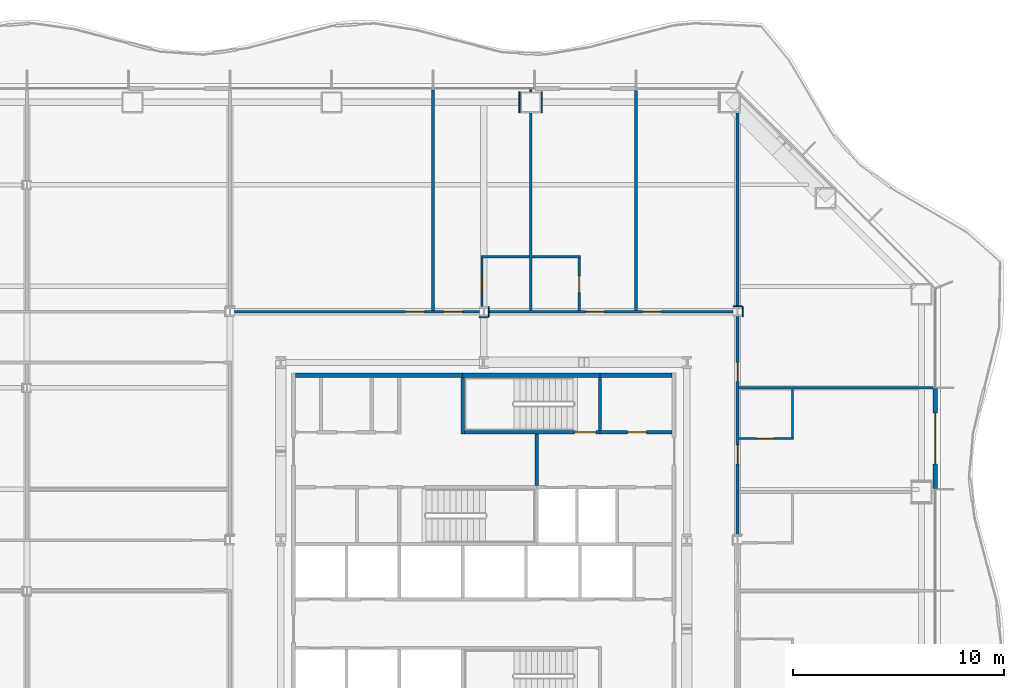
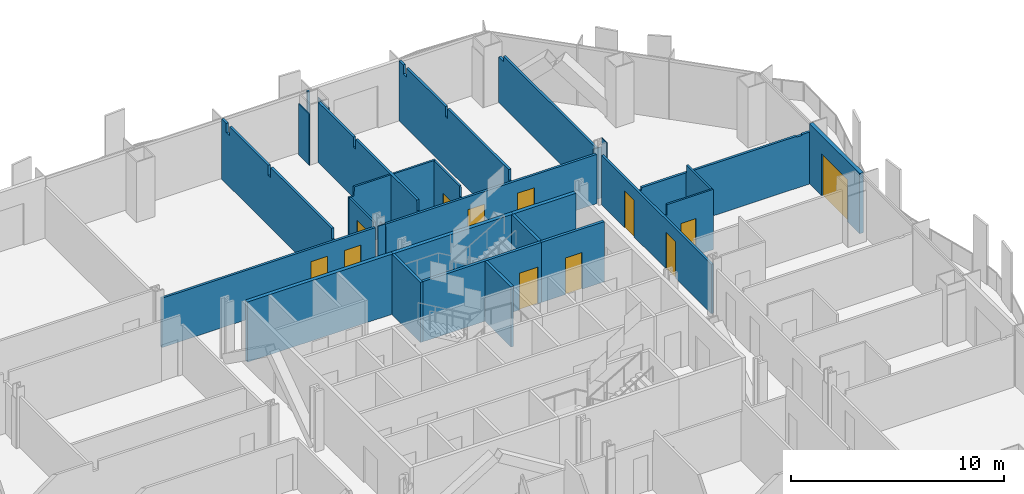
# One storey, part 13 of 20: 30 walls, 12 doors, 12 openings.
"""IFC4 building model written with IfcOpenShell, lengths in metres."""

from ifc_helpers import new_model, si_unit, direction, frame, frame_2d, origin, place, context, subcontext, project, spatial, polyline, rectangle, outline, extrude, material, layer, layer_set, type_object, element, fill, save


model = new_model("IFC4")

# Units and contexts
model_context = context("Model", 3, precision=1e-05, world=origin(), true_north=direction((0.0, 1.0)))
body_context = subcontext(model_context, "Body", "Model", "MODEL_VIEW")
ifc_project = project(units=[si_unit("LENGTHUNIT", "METRE"), si_unit("AREAUNIT", "SQUARE_METRE"), si_unit("VOLUMEUNIT", "CUBIC_METRE"), si_unit("PLANEANGLEUNIT", "RADIAN"), si_unit("MASSUNIT", "GRAM", prefix="KILO")], contexts=[model_context])

# Site, building, storey
site_placement = place(None, origin())
site = spatial("IfcSite", under=ifc_project, at=site_placement, CompositionType="ELEMENT")
building_placement = place(site_placement, origin())
building = spatial("IfcBuilding", under=site, at=building_placement, Name="Cairn Pilgrim Tower", CompositionType="ELEMENT")
storey_placement = place(building_placement, frame((0.0, 0.0, 51.0)))
storey = spatial("IfcBuildingStorey", under=building, at=storey_placement, Name="L10", CompositionType="ELEMENT", Elevation=51.0)

# Wall, opening, door
ifc_material_1 = material(Name="Bronze anodised aluminium insulated sandwich panel with mineral wool fill", Category="aluminium")
ifc_layer_1 = layer(ifc_material_1, 0.199951171875)
ifc_layer_set_1 = layer_set([ifc_layer_1], Name="BRONZE INFILL FRAME WALL 200")
wall_type_1 = type_object("IfcWallType", Name="BRONZE INFILL FRAME WALL 200", PredefinedType="NOTDEFINED", material=ifc_layer_set_1)
wall_1_placement = place(storey_placement, frame((28.550048828125, 4.830078125, 0.0), z_axis=(0.0, 0.0, 1.0), x_axis=(0.0, 1.0, 0.0)))
wall_1 = element("IfcWall", 1, at=wall_1_placement, inside=storey, type_object=wall_type_1, Name="Bronze infill frame wall IW-E5", PredefinedType="NOTDEFINED", context=body_context, shape_type="SweptSolid", body=[
    extrude(rectangle(XDim=4.739990234375, YDim=0.199951171875, at=frame_2d((2.3701171875, 0.0))), origin(), (0.0, 0.0, 1.0), 3.449951171875),
])
opening_1_placement = place(wall_1_placement, frame((1.169921875, 0.0, 0.0)))
opening_1 = element("IfcOpeningElement", 2, at=opening_1_placement, cuts=wall_1, Name="Opening 1026B", PredefinedType="OPENING", context=body_context, shape_type="SweptSolid", body=[
    extrude(rectangle(XDim=2.39990234375, YDim=2.39990234375, at=frame_2d((1.199951171875, 1.199951171875))), frame((0.0, 0.10986328125, 0.0), z_axis=(0.0, -1.0, 0.0), x_axis=(1.0, 0.0, 0.0)), (0.0, 0.0, 1.0), 0.219970703125),
])
ifc_material_2 = material(Name="Bronze anodised aluminium frame with tinted low-E glass", Category="aluminium")
door_type_1 = type_object("IfcDoorType", Name="BALCONY SLIDING DOOR 2400x2400", OperationType="DOUBLE_DOOR_SLIDING", PredefinedType="DOOR", material=ifc_material_2)
door_1_placement = place(opening_1_placement, origin())
door_1 = element("IfcDoor", 3, at=door_1_placement, inside=storey, type_object=door_type_1, Name="Balcony sliding door 1026B", OperationType="SINGLE_SWING_LEFT", OverallHeight=2.39990234375, OverallWidth=2.39990234375, PredefinedType="DOOR", context=body_context, shape_type="SweptSolid", body=[
    extrude(rectangle(XDim=2.39990234375, YDim=2.39990234375, at=frame_2d((1.199951171875, 1.199951171875))), frame((0.0, 0.02490234375, 0.0), z_axis=(0.0, -1.0, 0.0), x_axis=(1.0, 0.0, 0.0)), (0.0, 0.0, 1.0), 0.050048828125),
])
fill(opening_1, door_1)

# Walls
ifc_material_3 = material(Name="Concrete C32/40", Category="concrete")
ifc_layer_2 = layer(ifc_material_3, 0.199951171875)
ifc_layer_set_2 = layer_set([ifc_layer_2], Name="CORE OUTER WALL 200 EI 120")
wall_type_2 = type_object("IfcWallType", Name="CORE OUTER WALL 200 EI 120", PredefinedType="SOLIDWALL", material=ifc_layer_set_2)
wall_2_placement = place(storey_placement, frame((-1.699951171875, 10.199951171875, 0.0), z_axis=(0.0, 0.0, 1.0), x_axis=(1.0, 0.0, 0.0)))
element("IfcWall", 4, at=wall_2_placement, inside=storey, type_object=wall_type_2, Name="CW:L10:H11-1", PredefinedType="SOLIDWALL", context=body_context, shape_type="SweptSolid", body=[
    extrude(rectangle(XDim=7.89990234375, YDim=0.199951171875, at=frame_2d((3.949951171875, 0.0))), origin(), (0.0, 0.0, 1.0), 3.449951171875),
])
wall_3_placement = place(storey_placement, frame((12.699951171875, 10.199951171875, 0.0), z_axis=(0.0, 0.0, 1.0), x_axis=(1.0, 0.0, 0.0)))
element("IfcWall", 5, at=wall_3_placement, inside=storey, type_object=wall_type_2, Name="CW:L10:H11-3", PredefinedType="SOLIDWALL", context=body_context, shape_type="SweptSolid", body=[
    extrude(rectangle(XDim=3.400146484375, YDim=0.199951171875, at=frame_2d((1.7001953125, 0.0))), origin(), (0.0, 0.0, 1.0), 3.449951171875),
])

# Wall, opening, door
ifc_layer_3 = layer(ifc_material_3, 0.14990234375)
ifc_layer_set_3 = layer_set([ifc_layer_3], Name="CORE SHAFT WALL 150 EI 120")
wall_type_3 = type_object("IfcWallType", Name="CORE SHAFT WALL 150 EI 120", PredefinedType="SOLIDWALL", material=ifc_layer_set_3)
wall_4_placement = place(storey_placement, frame((12.699951171875, 7.5, 0.0), z_axis=(0.0, 0.0, 1.0), x_axis=(1.0, 0.0, 0.0)))
wall_4 = element("IfcWall", 6, at=wall_4_placement, inside=storey, type_object=wall_type_3, Name="CW:L10:H10-2", PredefinedType="SOLIDWALL", context=body_context, shape_type="SweptSolid", body=[
    extrude(rectangle(XDim=3.400146484375, YDim=0.14990234375, at=frame_2d((1.7001953125, 0.0))), origin(), (0.0, 0.0, 1.0), 3.449951171875),
])
opening_2_placement = place(wall_4_placement, frame((1.300048828125, 0.0, 0.0)))
opening_2 = element("IfcOpeningElement", 7, at=opening_2_placement, cuts=wall_4, Name="Opening RD-R4E", PredefinedType="OPENING", context=body_context, shape_type="SweptSolid", body=[
    extrude(rectangle(XDim=0.89990234375, YDim=2.10009765625, at=frame_2d((0.449951171875, 1.050048828125))), frame((0.0, 0.0849609375, 0.0), z_axis=(0.0, -1.0, 0.0), x_axis=(1.0, 0.0, 0.0)), (0.0, 0.0, 1.0), 0.169921875),
])
ifc_material_4 = material(Name="Painted steel", Category="steel")
door_type_2 = type_object("IfcDoorType", Name="SERVICE ROOM DOOR 900x2100", OperationType="SINGLE_SWING_LEFT", PredefinedType="DOOR", material=ifc_material_4)
door_2_placement = place(opening_2_placement, origin())
door_2 = element("IfcDoor", 8, at=door_2_placement, inside=storey, type_object=door_type_2, Name="RD-R4E", OperationType="SINGLE_SWING_LEFT", OverallHeight=2.10009765625, OverallWidth=0.89990234375, PredefinedType="DOOR", context=body_context, shape_type="SweptSolid", body=[
    extrude(rectangle(XDim=0.89990234375, YDim=2.10009765625, at=frame_2d((0.449951171875, 1.050048828125))), frame((0.0, 0.02490234375, 0.0), z_axis=(0.0, -1.0, 0.0), x_axis=(1.0, 0.0, 0.0)), (0.0, 0.0, 1.0), 0.050048828125),
])
fill(opening_2, door_2)

# Wall
wall_5_placement = place(storey_placement, frame((9.699951171875, 4.97509765625, 0.0), z_axis=(0.0, 0.0, 1.0), x_axis=(0.0, 1.0, 0.0)))
element("IfcWall", 9, at=wall_5_placement, inside=storey, type_object=wall_type_3, Name="CW:L10:V27", PredefinedType="SOLIDWALL", context=body_context, shape_type="SweptSolid", body=[
    extrude(rectangle(XDim=2.449951171875, YDim=0.14990234375, at=frame_2d((1.22509765625, 0.0))), origin(), (0.0, 0.0, 1.0), 3.449951171875),
])

# Wall, opening, door
ifc_material_5 = material(Name="Gypsum partition")
ifc_layer_4 = layer(ifc_material_5, 0.10009765625)
ifc_layer_set_4 = layer_set([ifc_layer_4], Name="PARTITION 100 DRYWALL")
wall_type_4 = type_object("IfcWallType", Name="PARTITION 100 DRYWALL", PredefinedType="PARTITIONING", material=ifc_layer_set_4)
wall_6_placement = place(storey_placement, frame((19.262451171875, 7.199951171875, 0.0), z_axis=(0.0, 0.0, 1.0), x_axis=(1.0, 0.0, 0.0)))
wall_6 = element("IfcWall", 10, at=wall_6_placement, inside=storey, type_object=wall_type_4, Name="PARTITION W060", PredefinedType="PARTITIONING", context=body_context, shape_type="SweptSolid", body=[
    extrude(outline(polyline([(0.0, 0.0), (2.587646484375, 0.0), (2.58740234375, 3.449951171875), (0.08740234375, 3.449951171875), (0.08544921875, 2.830078125), (0.0, 2.830078125), (0.0, 0.0)])), frame((0.0, 0.050048828125, 0.0), z_axis=(0.0, -1.0, 0.0), x_axis=(1.0, 0.0, 0.0)), (0.0, 0.0, 1.0), 0.10009765625),
])
opening_3_placement = place(wall_6_placement, frame((0.83740234375, 0.0, 0.0)))
opening_3 = element("IfcOpeningElement", 11, at=opening_3_placement, cuts=wall_6, Name="Opening 1026E", PredefinedType="OPENING", context=body_context, shape_type="SweptSolid", body=[
    extrude(rectangle(XDim=0.800048828125, YDim=2.10009765625, at=frame_2d((0.39990234375, 1.050048828125))), frame((0.0, 0.06005859375, 0.0), z_axis=(0.0, -1.0, 0.0), x_axis=(1.0, 0.0, 0.0)), (0.0, 0.0, 1.0), 0.1201171875),
])
ifc_material_6 = material(Name="Timber door leaf", Category="wood")
door_type_3 = type_object("IfcDoorType", Name="DOOR 800x2100", OperationType="NOTDEFINED", PredefinedType="DOOR", material=ifc_material_6)
door_3_placement = place(opening_3_placement, origin())
door_3 = element("IfcDoor", 12, at=door_3_placement, inside=storey, type_object=door_type_3, Name="DOOR 1026E", OperationType="SINGLE_SWING_LEFT", OverallHeight=2.10009765625, OverallWidth=0.800048828125, PredefinedType="DOOR", context=body_context, shape_type="SweptSolid", body=[
    extrude(rectangle(XDim=0.800048828125, YDim=2.10009765625, at=frame_2d((0.39990234375, 1.050048828125))), frame((0.0, 0.02490234375, 0.0), z_axis=(0.0, -1.0, 0.0), x_axis=(1.0, 0.0, 0.0)), (0.0, 0.0, 1.0), 0.050048828125),
])
fill(opening_3, door_3)

# Wall
wall_7_placement = place(storey_placement, frame((21.800048828125, 7.25, 0.0), z_axis=(0.0, 0.0, 1.0), x_axis=(0.0, 1.0, 0.0)))
element("IfcWall", 13, at=wall_7_placement, inside=storey, type_object=wall_type_4, Name="PARTITION W061", PredefinedType="PARTITIONING", context=body_context, shape_type="SweptSolid", body=[
    extrude(outline(polyline([(0.0, 0.0), (2.28759765625, 0.0), (2.28759765625, 2.97998046875), (2.2548828125, 2.97998046875), (2.2529296875, 3.449951171875), (0.0, 3.449951171875), (0.0, 0.0)])), frame((0.0, 0.050048828125, 0.0), z_axis=(0.0, -1.0, 0.0), x_axis=(1.0, 0.0, 0.0)), (0.0, 0.0, 1.0), 0.10009765625),
])

# Wall, opening, door
wall_8_placement = place(storey_placement, frame((11.714111328125, 13.262451171875, 0.0), z_axis=(0.0, 0.0, 1.0), x_axis=(0.0, 1.0, 0.0)))
wall_8 = element("IfcWall", 14, at=wall_8_placement, inside=storey, type_object=wall_type_4, Name="PARTITION W073", PredefinedType="PARTITIONING", context=body_context, shape_type="SweptSolid", body=[
    extrude(outline(polyline([(0.0, 0.0), (2.487548828125, 0.0), (2.487548828125, 3.449951171875), (0.08740234375, 3.449951171875), (0.08544921875, 2.830078125), (0.0, 2.830078125), (0.0, 0.0)])), frame((0.0, 0.050048828125, 0.0), z_axis=(0.0, -1.0, 0.0), x_axis=(1.0, 0.0, 0.0)), (0.0, 0.0, 1.0), 0.10009765625),
])
opening_4_placement = place(wall_8_placement, frame((0.83740234375, 0.0, 0.0)))
opening_4 = element("IfcOpeningElement", 15, at=opening_4_placement, cuts=wall_8, Name="Opening 1020E", PredefinedType="OPENING", context=body_context, shape_type="SweptSolid", body=[
    extrude(rectangle(XDim=0.800048828125, YDim=2.10009765625, at=frame_2d((0.39990234375, 1.050048828125))), frame((0.0, 0.06005859375, 0.0), z_axis=(0.0, -1.0, 0.0), x_axis=(1.0, 0.0, 0.0)), (0.0, 0.0, 1.0), 0.1201171875),
])
door_4_placement = place(opening_4_placement, origin())
door_4 = element("IfcDoor", 16, at=door_4_placement, inside=storey, type_object=door_type_3, Name="DOOR 1020E", OperationType="SINGLE_SWING_LEFT", OverallHeight=2.10009765625, OverallWidth=0.800048828125, PredefinedType="DOOR", context=body_context, shape_type="SweptSolid", body=[
    extrude(rectangle(XDim=0.800048828125, YDim=2.10009765625, at=frame_2d((0.39990234375, 1.050048828125))), frame((0.0, 0.02490234375, 0.0), z_axis=(0.0, -1.0, 0.0), x_axis=(1.0, 0.0, 0.0)), (0.0, 0.0, 1.0), 0.050048828125),
])
fill(opening_4, door_4)

wall_9_placement = place(storey_placement, frame((7.114013671875, 13.43701171875, 0.0), z_axis=(0.0, 0.0, 1.0), x_axis=(0.0, 1.0, 0.0)))
wall_9 = element("IfcWall", 17, at=wall_9_placement, inside=storey, type_object=wall_type_4, Name="PARTITION W076", PredefinedType="PARTITIONING", context=body_context, shape_type="SweptSolid", body=[
    extrude(rectangle(XDim=2.31298828125, YDim=0.10009765625, at=frame_2d((1.156494140625, 0.0))), origin(), (0.0, 0.0, 1.0), 2.929931640625),
])
opening_5_placement = place(wall_9_placement, frame((0.762939453125, 0.0, 0.0)))
opening_5 = element("IfcOpeningElement", 18, at=opening_5_placement, cuts=wall_9, Name="Opening 1019E", PredefinedType="OPENING", context=body_context, shape_type="SweptSolid", body=[
    extrude(rectangle(XDim=0.800048828125, YDim=2.10009765625, at=frame_2d((0.39990234375, 1.050048828125))), frame((0.0, 0.06005859375, 0.0), z_axis=(0.0, -1.0, 0.0), x_axis=(1.0, 0.0, 0.0)), (0.0, 0.0, 1.0), 0.1201171875),
])
door_5_placement = place(opening_5_placement, frame((0.800048828125, 0.0, 0.0), z_axis=(0.0, 0.0, 1.0), x_axis=(-1.0, 0.0, 0.0)))
door_5 = element("IfcDoor", 19, at=door_5_placement, inside=storey, type_object=door_type_3, Name="DOOR 1019E", OperationType="SINGLE_SWING_LEFT", OverallHeight=2.10009765625, OverallWidth=0.800048828125, PredefinedType="DOOR", context=body_context, shape_type="SweptSolid", body=[
    extrude(rectangle(XDim=0.800048828125, YDim=2.10009765625, at=frame_2d((0.39990234375, 1.050048828125))), frame((0.0, 0.02490234375, 0.0), z_axis=(0.0, -1.0, 0.0), x_axis=(1.0, 0.0, 0.0)), (0.0, 0.0, 1.0), 0.050048828125),
])
fill(opening_5, door_5)

# Walls
wall_10_placement = place(storey_placement, frame((7.06396484375, 15.800048828125, 0.0), z_axis=(0.0, 0.0, 1.0), x_axis=(1.0, 0.0, 0.0)))
element("IfcWall", 20, at=wall_10_placement, inside=storey, type_object=wall_type_4, Name="PARTITION W080", PredefinedType="PARTITIONING", context=body_context, shape_type="SweptSolid", body=[
    extrude(outline(polyline([(0.0, 0.0), (2.28759765625, 0.0), (2.28759765625, 3.449951171875), (0.285888671875, 3.449951171875), (0.283935546875, 2.929931640625), (0.0, 2.929931640625), (0.0, 0.0)])), frame((0.0, 0.050048828125, 0.0), z_axis=(0.0, -1.0, 0.0), x_axis=(1.0, 0.0, 0.0)), (0.0, 0.0, 1.0), 0.10009765625),
])
wall_11_placement = place(storey_placement, frame((9.4765625, 15.800048828125, 0.0), z_axis=(0.0, 0.0, 1.0), x_axis=(1.0, 0.0, 0.0)))
element("IfcWall", 21, at=wall_11_placement, inside=storey, type_object=wall_type_4, Name="PARTITION W081", PredefinedType="PARTITIONING", context=body_context, shape_type="SweptSolid", body=[
    extrude(rectangle(XDim=2.287353515625, YDim=0.10009765625, at=frame_2d((1.1435546875, 0.0))), origin(), (0.0, 0.0, 1.0), 3.449951171875),
])

# Wall, openings, doors
ifc_layer_5 = layer(ifc_material_5, 0.125)
ifc_layer_set_5 = layer_set([ifc_layer_5], Name="PARTITION 125 DRYWALL EI 60")
wall_type_5 = type_object("IfcWallType", Name="PARTITION 125 DRYWALL EI 60", PredefinedType="PARTITIONING", material=ifc_layer_set_5)
wall_12_placement = place(storey_placement, frame((19.199951171875, 2.636962890625, 0.0), z_axis=(0.0, 0.0, 1.0), x_axis=(0.0, 1.0, 0.0)))
wall_12 = element("IfcWall", 22, at=wall_12_placement, inside=storey, type_object=wall_type_5, Name="PARTITION W054", PredefinedType="PARTITIONING", context=body_context, shape_type="SweptSolid", body=[
    extrude(rectangle(XDim=10.325927734375, YDim=0.125, at=frame_2d((5.1630859375, 0.0))), origin(), (0.0, 0.0, 1.0), 2.830078125),
])
opening_6_placement = place(wall_12_placement, frame((3.363037109375, 0.0, 0.0)))
opening_6 = element("IfcOpeningElement", 23, at=opening_6_placement, cuts=wall_12, Name="Opening 1026", PredefinedType="OPENING", context=body_context, shape_type="SweptSolid", body=[
    extrude(rectangle(XDim=0.89990234375, YDim=2.10009765625, at=frame_2d((0.449951171875, 1.050048828125))), frame((0.0, 0.072509765625, 0.0), z_axis=(0.0, -1.0, 0.0), x_axis=(1.0, 0.0, 0.0)), (0.0, 0.0, 1.0), 0.14501953125),
])
opening_7_placement = place(wall_12_placement, frame((7.262939453125, 0.0, 0.0)))
opening_7 = element("IfcOpeningElement", 24, at=opening_7_placement, cuts=wall_12, Name="Opening 1027", PredefinedType="OPENING", context=body_context, shape_type="SweptSolid", body=[
    extrude(rectangle(XDim=0.89990234375, YDim=2.10009765625, at=frame_2d((0.449951171875, 1.050048828125))), frame((0.0, 0.072509765625, 0.0), z_axis=(0.0, -1.0, 0.0), x_axis=(1.0, 0.0, 0.0)), (0.0, 0.0, 1.0), 0.14501953125),
])
ifc_material_7 = material(Name="Steel-faced fire door leaf", Category="steel")
door_type_4 = type_object("IfcDoorType", Name="FIRE DOOR 900x2100 FD30S", OperationType="NOTDEFINED", PredefinedType="DOOR", material=ifc_material_7)
door_6_placement = place(opening_6_placement, frame((0.89990234375, 0.0, 0.0), z_axis=(0.0, 0.0, 1.0), x_axis=(-1.0, 0.0, 0.0)))
door_6 = element("IfcDoor", 25, at=door_6_placement, inside=storey, type_object=door_type_4, Name="DOOR 1026", OperationType="SINGLE_SWING_RIGHT", OverallHeight=2.10009765625, OverallWidth=0.89990234375, PredefinedType="DOOR", context=body_context, shape_type="SweptSolid", body=[
    extrude(rectangle(XDim=0.89990234375, YDim=2.10009765625, at=frame_2d((0.449951171875, 1.050048828125))), frame((0.0, 0.02490234375, 0.0), z_axis=(0.0, -1.0, 0.0), x_axis=(1.0, 0.0, 0.0)), (0.0, 0.0, 1.0), 0.050048828125),
])
fill(opening_6, door_6)
door_7_placement = place(opening_7_placement, frame((0.89990234375, 0.0, 0.0), z_axis=(0.0, 0.0, 1.0), x_axis=(-1.0, 0.0, 0.0)))
door_7 = element("IfcDoor", 26, at=door_7_placement, inside=storey, type_object=door_type_4, Name="DOOR 1027", OperationType="SINGLE_SWING_RIGHT", OverallHeight=2.10009765625, OverallWidth=0.89990234375, PredefinedType="DOOR", context=body_context, shape_type="SweptSolid", body=[
    extrude(rectangle(XDim=0.89990234375, YDim=2.10009765625, at=frame_2d((0.449951171875, 1.050048828125))), frame((0.0, 0.02490234375, 0.0), z_axis=(0.0, -1.0, 0.0), x_axis=(1.0, 0.0, 0.0)), (0.0, 0.0, 1.0), 0.050048828125),
])
fill(opening_7, door_7)

# Wall
wall_13_placement = place(storey_placement, frame((19.262451171875, 9.60009765625, 0.0), z_axis=(0.0, 0.0, 1.0), x_axis=(1.0, 0.0, 0.0)))
element("IfcWall", 27, at=wall_13_placement, inside=storey, type_object=wall_type_5, Name="PARTITION W063", PredefinedType="PARTITIONING", context=body_context, shape_type="SweptSolid", body=[
    extrude(outline(polyline([(0.0, 0.0), (9.1875, 0.0), (9.1875, 2.97998046875), (8.78759765625, 2.97998046875), (8.785400390625, 2.929931640625), (8.487548828125, 2.929931640625), (8.485595703125, 2.97998046875), (0.08740234375, 2.97998046875), (0.08544921875, 2.830078125), (0.0, 2.830078125), (0.0, 0.0)])), frame((0.0, 0.0625, 0.0), z_axis=(0.0, -1.0, 0.0), x_axis=(1.0, 0.0, 0.0)), (0.0, 0.0, 1.0), 0.125),
])

# Wall, openings, doors
wall_14_placement = place(storey_placement, frame((-4.587890625, 13.199951171875, 0.0), z_axis=(0.0, 0.0, 1.0), x_axis=(1.0, 0.0, 0.0)))
wall_14 = element("IfcWall", 28, at=wall_14_placement, inside=storey, type_object=wall_type_5, Name="PARTITION W067", PredefinedType="PARTITIONING", context=body_context, shape_type="SweptSolid", body=[
    extrude(rectangle(XDim=11.575927734375, YDim=0.125, at=frame_2d((5.7880859375, 0.0))), origin(), (0.0, 0.0, 1.0), 2.830078125),
])
opening_8_placement = place(wall_14_placement, frame((8.087890625, 0.0, 0.0)))
opening_8 = element("IfcOpeningElement", 29, at=opening_8_placement, cuts=wall_14, Name="Opening 1018", PredefinedType="OPENING", context=body_context, shape_type="SweptSolid", body=[
    extrude(rectangle(XDim=0.89990234375, YDim=2.10009765625, at=frame_2d((0.449951171875, 1.050048828125))), frame((0.0, 0.072509765625, 0.0), z_axis=(0.0, -1.0, 0.0), x_axis=(1.0, 0.0, 0.0)), (0.0, 0.0, 1.0), 0.14501953125),
])
opening_9_placement = place(wall_14_placement, frame((9.887939453125, 0.0, 0.0)))
opening_9 = element("IfcOpeningElement", 30, at=opening_9_placement, cuts=wall_14, Name="Opening 1019", PredefinedType="OPENING", context=body_context, shape_type="SweptSolid", body=[
    extrude(rectangle(XDim=0.89990234375, YDim=2.10009765625, at=frame_2d((0.449951171875, 1.050048828125))), frame((0.0, 0.072509765625, 0.0), z_axis=(0.0, -1.0, 0.0), x_axis=(1.0, 0.0, 0.0)), (0.0, 0.0, 1.0), 0.14501953125),
])
door_8_placement = place(opening_8_placement, origin())
door_8 = element("IfcDoor", 31, at=door_8_placement, inside=storey, type_object=door_type_4, Name="DOOR 1018", OperationType="SINGLE_SWING_LEFT", OverallHeight=2.10009765625, OverallWidth=0.89990234375, PredefinedType="DOOR", context=body_context, shape_type="SweptSolid", body=[
    extrude(rectangle(XDim=0.89990234375, YDim=2.10009765625, at=frame_2d((0.449951171875, 1.050048828125))), frame((0.0, 0.02490234375, 0.0), z_axis=(0.0, -1.0, 0.0), x_axis=(1.0, 0.0, 0.0)), (0.0, 0.0, 1.0), 0.050048828125),
])
fill(opening_8, door_8)
door_9_placement = place(opening_9_placement, origin())
door_9 = element("IfcDoor", 32, at=door_9_placement, inside=storey, type_object=door_type_4, Name="DOOR 1019", OperationType="SINGLE_SWING_RIGHT", OverallHeight=2.10009765625, OverallWidth=0.89990234375, PredefinedType="DOOR", context=body_context, shape_type="SweptSolid", body=[
    extrude(rectangle(XDim=0.89990234375, YDim=2.10009765625, at=frame_2d((0.449951171875, 1.050048828125))), frame((0.0, 0.02490234375, 0.0), z_axis=(0.0, -1.0, 0.0), x_axis=(1.0, 0.0, 0.0)), (0.0, 0.0, 1.0), 0.050048828125),
])
fill(opening_9, door_9)

wall_15_placement = place(storey_placement, frame((7.412109375, 13.199951171875, 0.0), z_axis=(0.0, 0.0, 1.0), x_axis=(1.0, 0.0, 0.0)))
wall_15 = element("IfcWall", 33, at=wall_15_placement, inside=storey, type_object=wall_type_5, Name="PARTITION W068", PredefinedType="PARTITIONING", context=body_context, shape_type="SweptSolid", body=[
    extrude(rectangle(XDim=11.575927734375, YDim=0.125, at=frame_2d((5.7880859375, 0.0))), origin(), (0.0, 0.0, 1.0), 2.830078125),
])
opening_10_placement = place(wall_15_placement, frame((4.60205078125, 0.0, 0.0)))
opening_10 = element("IfcOpeningElement", 34, at=opening_10_placement, cuts=wall_15, Name="Opening 1020", PredefinedType="OPENING", context=body_context, shape_type="SweptSolid", body=[
    extrude(rectangle(XDim=0.89990234375, YDim=2.10009765625, at=frame_2d((0.449951171875, 1.050048828125))), frame((0.0, 0.072509765625, 0.0), z_axis=(0.0, -1.0, 0.0), x_axis=(1.0, 0.0, 0.0)), (0.0, 0.0, 1.0), 0.14501953125),
])
opening_11_placement = place(wall_15_placement, frame((7.2880859375, 0.0, 0.0)))
opening_11 = element("IfcOpeningElement", 35, at=opening_11_placement, cuts=wall_15, Name="Opening 1021", PredefinedType="OPENING", context=body_context, shape_type="SweptSolid", body=[
    extrude(rectangle(XDim=0.89990234375, YDim=2.10009765625, at=frame_2d((0.449951171875, 1.050048828125))), frame((0.0, 0.072509765625, 0.0), z_axis=(0.0, -1.0, 0.0), x_axis=(1.0, 0.0, 0.0)), (0.0, 0.0, 1.0), 0.14501953125),
])
door_10_placement = place(opening_10_placement, origin())
door_10 = element("IfcDoor", 36, at=door_10_placement, inside=storey, type_object=door_type_4, Name="DOOR 1020", OperationType="SINGLE_SWING_RIGHT", OverallHeight=2.10009765625, OverallWidth=0.89990234375, PredefinedType="DOOR", context=body_context, shape_type="SweptSolid", body=[
    extrude(rectangle(XDim=0.89990234375, YDim=2.10009765625, at=frame_2d((0.449951171875, 1.050048828125))), frame((0.0, 0.02490234375, 0.0), z_axis=(0.0, -1.0, 0.0), x_axis=(1.0, 0.0, 0.0)), (0.0, 0.0, 1.0), 0.050048828125),
])
fill(opening_10, door_10)
door_11_placement = place(opening_11_placement, origin())
door_11 = element("IfcDoor", 37, at=door_11_placement, inside=storey, type_object=door_type_4, Name="DOOR 1021", OperationType="SINGLE_SWING_RIGHT", OverallHeight=2.10009765625, OverallWidth=0.89990234375, PredefinedType="DOOR", context=body_context, shape_type="SweptSolid", body=[
    extrude(rectangle(XDim=0.89990234375, YDim=2.10009765625, at=frame_2d((0.449951171875, 1.050048828125))), frame((0.0, 0.02490234375, 0.0), z_axis=(0.0, -1.0, 0.0), x_axis=(1.0, 0.0, 0.0)), (0.0, 0.0, 1.0), 0.050048828125),
])
fill(opening_11, door_11)

# Walls
wall_16_placement = place(storey_placement, frame((4.800048828125, 13.262451171875, 0.0), z_axis=(0.0, 0.0, 1.0), x_axis=(0.0, 1.0, 0.0)))
element("IfcWall", 38, at=wall_16_placement, inside=storey, type_object=wall_type_5, Name="PARTITION W071", PredefinedType="PARTITIONING", context=body_context, shape_type="SweptSolid", body=[
    extrude(outline(polyline([(0.0, 0.0), (10.427490234375, 0.0), (10.427490234375, 3.449951171875), (9.987548828125, 3.449951171875), (9.985595703125, 2.929931640625), (9.6875, 2.929931640625), (9.685546875, 3.449951171875), (6.04248046875, 3.449951171875), (6.04052734375, 2.8798828125), (5.83251953125, 2.8798828125), (5.83056640625, 3.449951171875), (0.08740234375, 3.449951171875), (0.08544921875, 2.830078125), (0.0, 2.830078125), (0.0, 0.0)])), frame((0.0, 0.0625, 0.0), z_axis=(0.0, -1.0, 0.0), x_axis=(1.0, 0.0, 0.0)), (0.0, 0.0, 1.0), 0.125),
])
wall_17_placement = place(storey_placement, frame((9.4140625, 13.262451171875, 0.0), z_axis=(0.0, 0.0, 1.0), x_axis=(0.0, 1.0, 0.0)))
element("IfcWall", 39, at=wall_17_placement, inside=storey, type_object=wall_type_5, Name="PARTITION W072", PredefinedType="PARTITIONING", context=body_context, shape_type="SweptSolid", body=[
    extrude(outline(polyline([(0.0, 0.0), (9.337646484375, 0.0), (9.33740234375, 3.449951171875), (6.04248046875, 3.449951171875), (6.04052734375, 2.8798828125), (5.83251953125, 2.8798828125), (5.83056640625, 3.449951171875), (0.08740234375, 3.449951171875), (0.08544921875, 2.830078125), (0.0, 2.830078125), (0.0, 0.0)])), frame((0.0, 0.0625, 0.0), z_axis=(0.0, -1.0, 0.0), x_axis=(1.0, 0.0, 0.0)), (0.0, 0.0, 1.0), 0.125),
])
wall_18_placement = place(storey_placement, frame((14.39990234375, 13.262451171875, 0.0), z_axis=(0.0, 0.0, 1.0), x_axis=(0.0, 1.0, 0.0)))
element("IfcWall", 40, at=wall_18_placement, inside=storey, type_object=wall_type_5, Name="PARTITION W074", PredefinedType="PARTITIONING", context=body_context, shape_type="SweptSolid", body=[
    extrude(outline(polyline([(0.0, 0.0), (10.387451171875, 0.0), (10.387451171875, 3.449951171875), (9.987548828125, 3.449951171875), (9.985595703125, 2.929931640625), (9.6875, 2.929931640625), (9.685546875, 3.449951171875), (6.04248046875, 3.449951171875), (6.04052734375, 2.8798828125), (5.83251953125, 2.8798828125), (5.83056640625, 3.449951171875), (0.08740234375, 3.449951171875), (0.08544921875, 2.830078125), (0.0, 2.830078125), (0.0, 0.0)])), frame((0.0, 0.0625, 0.0), z_axis=(0.0, -1.0, 0.0), x_axis=(1.0, 0.0, 0.0)), (0.0, 0.0, 1.0), 0.125),
])
wall_19_placement = place(storey_placement, frame((19.199951171875, 13.43701171875, 0.0), z_axis=(0.0, 0.0, 1.0), x_axis=(0.0, 1.0, 0.0)))
element("IfcWall", 41, at=wall_19_placement, inside=storey, type_object=wall_type_5, Name="PARTITION W077", PredefinedType="PARTITIONING", context=body_context, shape_type="SweptSolid", body=[
    extrude(outline(polyline([(0.0, 0.0), (9.1630859375, 0.0), (9.1630859375, 2.6298828125), (8.732666015625, 2.6298828125), (8.730712890625, 2.929931640625), (0.0, 2.929931640625), (0.0, 0.0)])), frame((0.0, 0.0625, 0.0), z_axis=(0.0, -1.0, 0.0), x_axis=(1.0, 0.0, 0.0)), (0.0, 0.0, 1.0), 0.125),
])
wall_20_placement = place(storey_placement, frame((9.4140625, 23.60009765625, 0.0), z_axis=(0.0, 0.0, 1.0), x_axis=(0.0, 1.0, 0.0)))
element("IfcWall", 42, at=wall_20_placement, inside=storey, type_object=wall_type_5, Name="PARTITION W083", PredefinedType="PARTITIONING", context=body_context, shape_type="SweptSolid", body=[
    extrude(rectangle(XDim=0.102783203125, YDim=0.125, at=frame_2d((0.05126953125, 0.0))), origin(), (0.0, 0.0, 1.0), 3.449951171875),
])
ifc_layer_6 = layer(ifc_material_5, 0.050048828125)
ifc_layer_set_6 = layer_set([ifc_layer_6], Name="PARTITION 50 DRYWALL")
wall_type_6 = type_object("IfcWallType", Name="PARTITION 50 DRYWALL", PredefinedType="PARTITIONING", material=ifc_layer_set_6)
wall_21_placement = place(storey_placement, frame((7.43701171875, 12.962890625, 0.0), z_axis=(0.0, 0.0, 1.0), x_axis=(0.0, 1.0, 0.0)))
element("IfcWall", 43, at=wall_21_placement, inside=storey, type_object=wall_type_6, Name="COLUMN CASING WC37", PredefinedType="PARTITIONING", context=body_context, shape_type="SweptSolid", body=[
    extrude(rectangle(XDim=0.47412109375, YDim=0.050048828125, at=frame_2d((0.237060546875, 0.0))), origin(), (0.0, 0.0, 1.0), 2.830078125),
])
ifc_layer_7 = layer(ifc_material_5, 0.050048828125)
ifc_layer_set_7 = layer_set([ifc_layer_7], Name="PARTITION 50 DRYWALL EI 60")
wall_type_7 = type_object("IfcWallType", Name="PARTITION 50 DRYWALL EI 60", PredefinedType="PARTITIONING", material=ifc_layer_set_7)
wall_22_placement = place(storey_placement, frame((19.43701171875, 12.962890625, 0.0), z_axis=(0.0, 0.0, 1.0), x_axis=(0.0, 1.0, 0.0)))
element("IfcWall", 44, at=wall_22_placement, inside=storey, type_object=wall_type_7, Name="COLUMN CASING WC11", PredefinedType="PARTITIONING", context=body_context, shape_type="SweptSolid", body=[
    extrude(rectangle(XDim=0.47412109375, YDim=0.050048828125, at=frame_2d((0.237060546875, 0.0))), origin(), (0.0, 0.0, 1.0), 3.449951171875),
])
wall_23_placement = place(storey_placement, frame((6.988037109375, 12.93798828125, 0.0), z_axis=(0.0, 0.0, 1.0), x_axis=(1.0, 0.0, 0.0)))
element("IfcWall", 45, at=wall_23_placement, inside=storey, type_object=wall_type_7, Name="COLUMN CASING WC31", PredefinedType="PARTITIONING", context=body_context, shape_type="SweptSolid", body=[
    extrude(rectangle(XDim=0.424072265625, YDim=0.050048828125, at=frame_2d((0.2119140625, 0.0))), origin(), (0.0, 0.0, 1.0), 3.030029296875),
])
wall_24_placement = place(storey_placement, frame((18.988037109375, 13.4619140625, 0.0), z_axis=(0.0, 0.0, 1.0), x_axis=(1.0, 0.0, 0.0)))
element("IfcWall", 46, at=wall_24_placement, inside=storey, type_object=wall_type_7, Name="COLUMN CASING WC32", PredefinedType="PARTITIONING", context=body_context, shape_type="SweptSolid", body=[
    extrude(rectangle(XDim=0.424072265625, YDim=0.050048828125, at=frame_2d((0.2119140625, 0.0))), origin(), (0.0, 0.0, 1.0), 2.929931640625),
])
for number, where, z_axis, x_axis, name in (
    (47, (8.888671875, 22.60009765625, 0.0), (0.0, 0.0, 1.0), (0.0, 1.0, 0.0), "COLUMN CASING WC38"),
    (48, (9.938720703125, 22.60009765625, 0.0), (0.0, 0.0, 1.0), (0.0, 1.0, 0.0), "COLUMN CASING WC39"),
):
    element("IfcWall", number, at=place(storey_placement, frame(where, z_axis=z_axis, x_axis=x_axis)), inside=storey, type_object=wall_type_7, Name=name, PredefinedType="PARTITIONING", context=body_context, shape_type="SweptSolid", body=[
        extrude(rectangle(XDim=1.0, YDim=0.050048828125, at=frame_2d((0.5, 0.0))), origin(), (0.0, 0.0, 1.0), 2.929931640625),
    ])

# Wall, opening, door
ifc_material_8 = material(Name="Concrete C35/45", Category="concrete")
ifc_layer_8 = layer(ifc_material_8, 0.14990234375)
ifc_layer_set_8 = layer_set([ifc_layer_8], Name="STAIR SHAFT WALL 150 EI 120")
wall_type_8 = type_object("IfcWallType", Name="STAIR SHAFT WALL 150 EI 120", PredefinedType="SOLIDWALL", material=ifc_layer_set_8)
wall_25_placement = place(storey_placement, frame((6.27490234375, 7.5, 0.0), z_axis=(0.0, 0.0, 1.0), x_axis=(1.0, 0.0, 0.0)))
wall_25 = element("IfcWall", 49, at=wall_25_placement, inside=storey, type_object=wall_type_8, Name="CW:L10:H10-1", PredefinedType="SOLIDWALL", context=body_context, shape_type="SweptSolid", body=[
    extrude(rectangle(XDim=6.425048828125, YDim=0.14990234375, at=frame_2d((3.21240234375, 0.0))), origin(), (0.0, 0.0, 1.0), 3.449951171875),
])
opening_12_placement = place(wall_25_placement, frame((5.22509765625, 0.0, 0.0)))
opening_12 = element("IfcOpeningElement", 50, at=opening_12_placement, cuts=wall_25, Name="Opening SD-C", PredefinedType="OPENING", context=body_context, shape_type="SweptSolid", body=[
    extrude(rectangle(XDim=1.0, YDim=2.10009765625, at=frame_2d((0.5, 1.050048828125))), frame((0.0, 0.0849609375, 0.0), z_axis=(0.0, -1.0, 0.0), x_axis=(1.0, 0.0, 0.0)), (0.0, 0.0, 1.0), 0.169921875),
])
door_type_5 = type_object("IfcDoorType", Name="STAIR DOOR FD60S 1000x2100", OperationType="SINGLE_SWING_LEFT", PredefinedType="DOOR", material=ifc_material_4)
door_12_placement = place(opening_12_placement, origin())
door_12 = element("IfcDoor", 51, at=door_12_placement, inside=storey, type_object=door_type_5, Name="SD-C", OperationType="SINGLE_SWING_RIGHT", OverallHeight=2.10009765625, OverallWidth=1.0, PredefinedType="DOOR", context=body_context, shape_type="SweptSolid", body=[
    extrude(rectangle(XDim=1.0, YDim=2.10009765625, at=frame_2d((0.5, 1.050048828125))), frame((0.0, 0.02490234375, 0.0), z_axis=(0.0, -1.0, 0.0), x_axis=(1.0, 0.0, 0.0)), (0.0, 0.0, 1.0), 0.050048828125),
])
fill(opening_12, door_12)

# Walls
wall_26_placement = place(storey_placement, frame((6.199951171875, 7.425048828125, 0.0), z_axis=(0.0, 0.0, 1.0), x_axis=(0.0, 1.0, 0.0)))
element("IfcWall", 52, at=wall_26_placement, inside=storey, type_object=wall_type_8, Name="CW:L10:V24", PredefinedType="SOLIDWALL", context=body_context, shape_type="SweptSolid", body=[
    extrude(rectangle(XDim=2.675048828125, YDim=0.14990234375, at=frame_2d((1.33740234375, 0.0))), origin(), (0.0, 0.0, 1.0), 3.449951171875),
])
wall_27_placement = place(storey_placement, frame((12.699951171875, 7.574951171875, 0.0), z_axis=(0.0, 0.0, 1.0), x_axis=(0.0, 1.0, 0.0)))
element("IfcWall", 53, at=wall_27_placement, inside=storey, type_object=wall_type_8, Name="CW:L10:V31", PredefinedType="SOLIDWALL", context=body_context, shape_type="SweptSolid", body=[
    extrude(rectangle(XDim=2.525146484375, YDim=0.14990234375, at=frame_2d((1.2626953125, 0.0))), origin(), (0.0, 0.0, 1.0), 3.449951171875),
])
ifc_layer_9 = layer(ifc_material_8, 0.199951171875)
ifc_layer_set_9 = layer_set([ifc_layer_9], Name="STAIR SHAFT WALL 200 EI 120")
wall_type_9 = type_object("IfcWallType", Name="STAIR SHAFT WALL 200 EI 120", PredefinedType="SOLIDWALL", material=ifc_layer_set_9)
wall_28_placement = place(storey_placement, frame((6.199951171875, 10.199951171875, 0.0), z_axis=(0.0, 0.0, 1.0), x_axis=(1.0, 0.0, 0.0)))
element("IfcWall", 54, at=wall_28_placement, inside=storey, type_object=wall_type_9, Name="CW:L10:H11-2", PredefinedType="SOLIDWALL", context=body_context, shape_type="SweptSolid", body=[
    extrude(rectangle(XDim=6.5, YDim=0.199951171875, at=frame_2d((3.25, 0.0))), origin(), (0.0, 0.0, 1.0), 3.449951171875),
])

save(model, "model.ifc")
